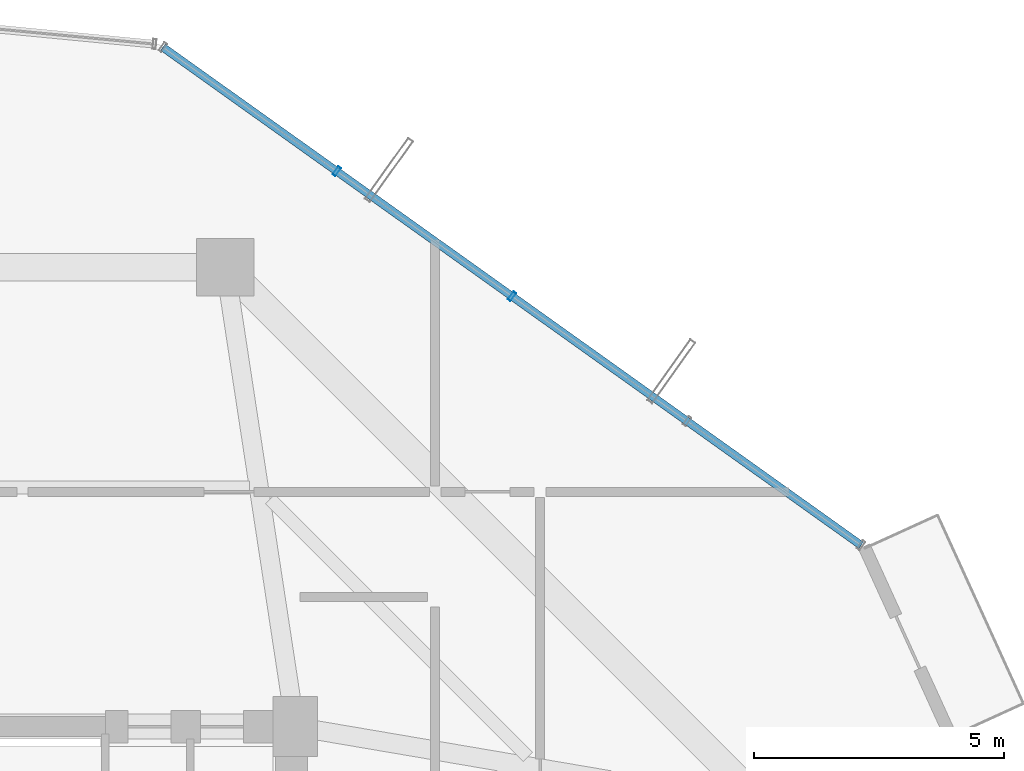
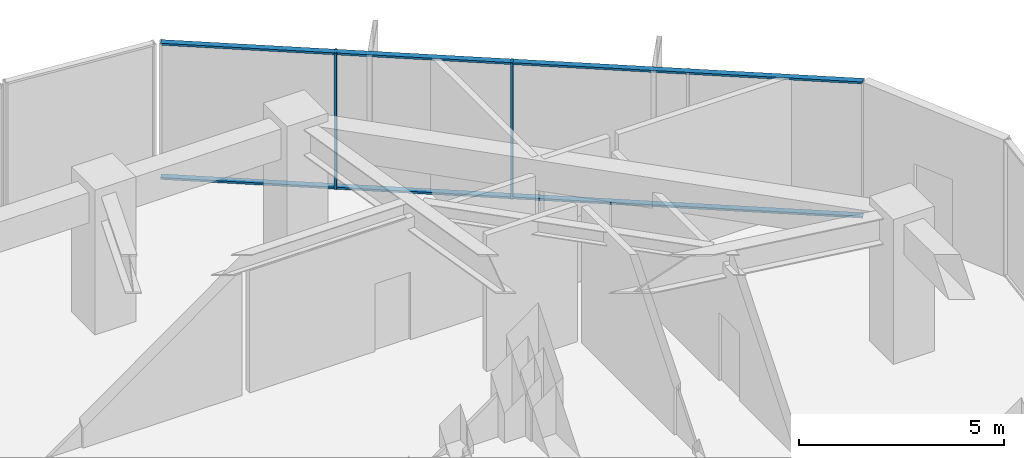
# One storey, part 17 of 25: 4 members, 1 element without a shape of its own.
"""IFC4 building model written with IfcOpenShell, lengths in metres."""

from ifc_helpers import new_model, si_unit, direction, frame, origin, origin_2d, place, context, subcontext, project, spatial, hollow_rectangle, extrude, source, transform, mapped, material, layer, layer_set, material_profile, profile_set, type_object, element, aggregate, save


model = new_model("IFC4")

# Units and contexts
model_context = context("Model", 3, precision=1e-05, world=origin(), true_north=direction((0.0, 1.0)))
body_context = subcontext(model_context, "Body", "Model", "MODEL_VIEW")
ifc_project = project(units=[si_unit("LENGTHUNIT", "METRE"), si_unit("AREAUNIT", "SQUARE_METRE"), si_unit("VOLUMEUNIT", "CUBIC_METRE"), si_unit("PLANEANGLEUNIT", "RADIAN"), si_unit("MASSUNIT", "GRAM", prefix="KILO")], contexts=[model_context])

# Site, building, storey
site_placement = place(None, origin())
site = spatial("IfcSite", under=ifc_project, at=site_placement, CompositionType="ELEMENT")
building_placement = place(site_placement, origin())
building = spatial("IfcBuilding", under=site, at=building_placement, Name="Veraguas Prism Commons", CompositionType="ELEMENT")
storey_placement = place(building_placement, frame((0.0, 0.0, 108.949951171875)))
storey = spatial("IfcBuildingStorey", under=building, at=storey_placement, Name="L30", CompositionType="ELEMENT", Elevation=108.949951171875)

# Curtain wall, members
ifc_material = material(Name="Anodised aluminium EN AW-6063 T6", Category="aluminium")
ifc_layer = layer(ifc_material, 0.199951171875, Name="Sky Lobby and Pool Acoustic Curtain Wall", Category="aluminium")
ifc_layer_set = layer_set([ifc_layer], Name="Anodised aluminium EN AW-6063 T6")
curtain_wall_type = type_object("IfcCurtainWallType", Name="Sky Lobby and Pool Acoustic Curtain Wall", PredefinedType="NOTDEFINED", material=ifc_layer_set)
curtain_wall_placement = place(storey_placement, origin())
curtain_wall = element("IfcCurtainWall", 1, at=curtain_wall_placement, inside=storey, type_object=curtain_wall_type, Name="Tower Facade Curtain Wall L30-F1", PredefinedType="NOTDEFINED")
ifc_material_profile_1 = material_profile(ifc_material, hollow_rectangle(XDim=0.06494140625, YDim=0.199951171875, WallThickness=0.00390625, at=origin_2d()), Name="AL65X200X4")
ifc_profile_set_1 = profile_set([ifc_material_profile_1], Name="Anodised aluminium EN AW-6063 T6")
member_type_1 = type_object("IfcMemberType", Name="Curtain Wall Mullion Heavy AL 65x200x4", PredefinedType="MULLION", material=ifc_profile_set_1)
shared_shape_1 = source(origin(), body_context, "Body", "SweptSolid", [
    extrude(hollow_rectangle(XDim=0.06494140625, YDim=0.199951171875, WallThickness=0.00390625, at=origin_2d()), origin(), (0.0, 0.0, 1.0), 4.050048828125),
])
member_1_placement = place(storey_placement, frame((35.139404296875, 39.61669921875, 0.0), z_axis=(0.0, 0.0, 1.0), x_axis=(-0.814114504837, 0.58070437661, 0.0)))
member_1 = element("IfcMember", 2, at=member_1_placement, type_object=member_type_1, Name="CW-SKY Mullion 3", PredefinedType="MULLION", context=body_context, shape_type="MappedRepresentation", body=[
    mapped(shared_shape_1, transform((0.0, 0.0, 0.0), scale=1.0)),
])
member_2_placement = place(storey_placement, frame((31.631591796875, 42.118896484375, 0.0), z_axis=(0.0, 0.0, 1.0), x_axis=(-0.814114504837, 0.58070437661, 0.0)))
member_2 = element("IfcMember", 3, at=member_2_placement, type_object=member_type_1, Name="CW-SKY Mullion 4", PredefinedType="MULLION", context=body_context, shape_type="MappedRepresentation", body=[
    mapped(shared_shape_1, transform((0.0, 0.0, 0.0), scale=1.0)),
])
ifc_material_profile_2 = material_profile(ifc_material, hollow_rectangle(XDim=0.06005859375, YDim=0.159912109375, WallThickness=0.0029296875, at=origin_2d()), Name="AL60X160X3")
ifc_profile_set_2 = profile_set([ifc_material_profile_2], Name="Anodised aluminium EN AW-6063 T6")
member_type_2 = type_object("IfcMemberType", Name="Curtain Wall Transom Heavy AL 60x160x3", PredefinedType="USERDEFINED", material=ifc_profile_set_2)
shared_shape_2 = source(origin(), body_context, "Body", "SweptSolid", [
    extrude(hollow_rectangle(XDim=0.06005859375, YDim=0.159912109375, WallThickness=0.0029296875, at=origin_2d()), origin(), (0.0, 0.0, 1.0), 17.169189453125),
])
member_3_placement = place(storey_placement, frame((42.128173828125, 34.631591796875, 0.030029296875), z_axis=(-0.814116647838, 0.580701372232, 0.0), x_axis=(0.0, 0.0, 1.0)))
member_3 = element("IfcMember", 4, at=member_3_placement, type_object=member_type_2, Name="CW-SKY Transom 1", ObjectType="TRANSOM", PredefinedType="USERDEFINED", context=body_context, shape_type="MappedRepresentation", body=[
    mapped(shared_shape_2, transform((0.0, 0.0, 0.0), scale=1.0)),
])
member_4_placement = place(storey_placement, frame((42.128173828125, 34.631591796875, 4.02001953125), z_axis=(-0.814116647838, 0.580701372232, 0.0), x_axis=(0.0, 0.0, 1.0)))
member_4 = element("IfcMember", 5, at=member_4_placement, type_object=member_type_2, Name="CW-SKY Transom 2", ObjectType="TRANSOM", PredefinedType="USERDEFINED", context=body_context, shape_type="MappedRepresentation", body=[
    mapped(shared_shape_2, transform((0.0, 0.0, 0.0), scale=1.0)),
])
aggregate(curtain_wall, [member_1, member_2, member_3, member_4])

save(model, "model.ifc")
